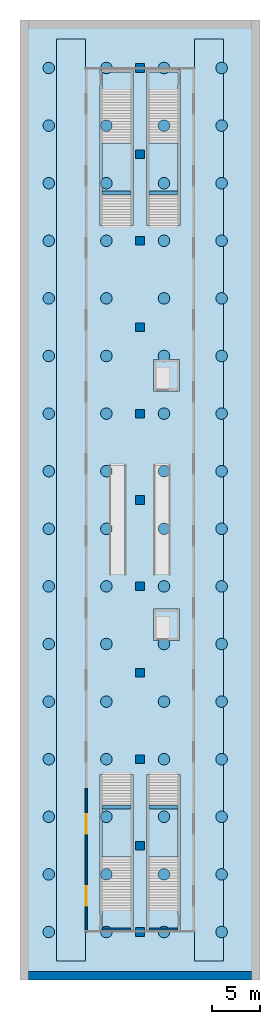
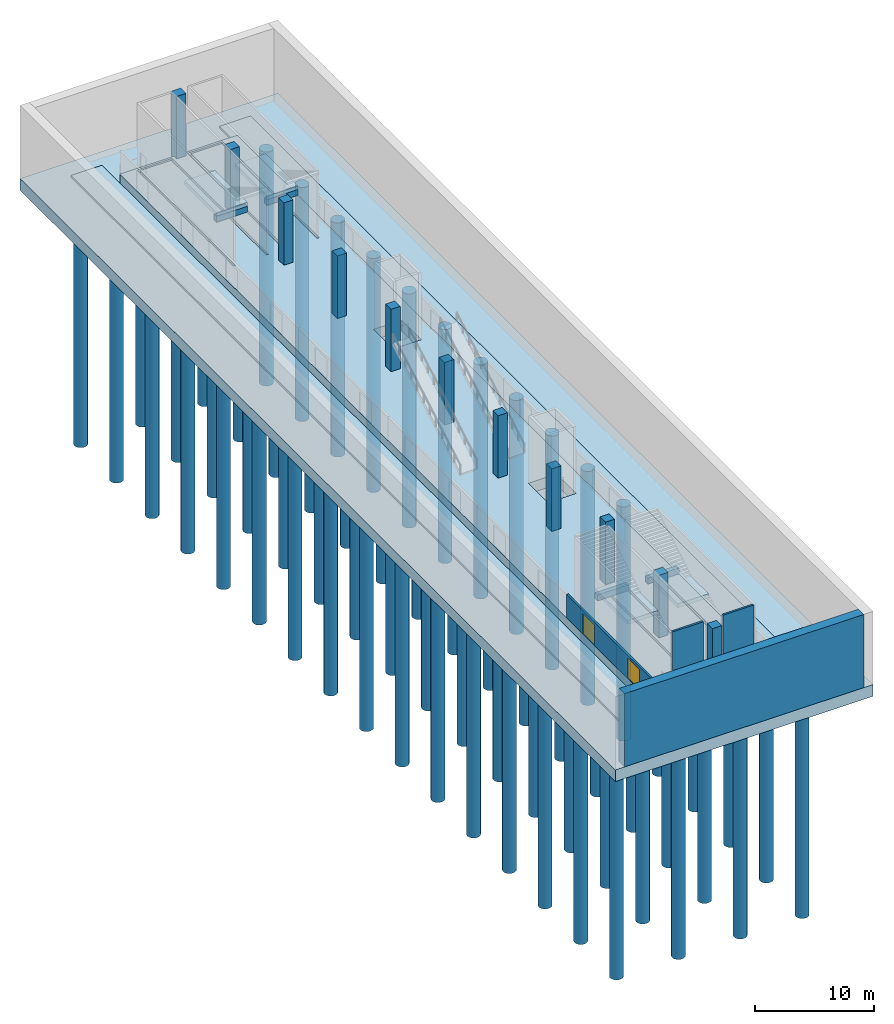
# One storey, part 1 of 16: 64 piles, 11 columns, 8 slabs, 4 beams, 4 walls, 2 windows, 2 openings, 4 elements without a shape of their own.
"""IFC4 building model written with IfcOpenShell, lengths in metres."""

from ifc_helpers import new_model, si_unit, direction, frame, frame_2d, origin, origin_2d, place, context, subcontext, project, spatial, polyline, rectangle, circle, outline, extrude, material, layer, layer_set, material_profile, profile_set, type_object, element, fill, aggregate, save


model = new_model("IFC4")

# Units and contexts
model_context = context("Model", 3, precision=1e-05, world=origin(), true_north=direction((0.0, 1.0)))
body_context = subcontext(model_context, "Body", "Model", "MODEL_VIEW")
ifc_project = project(units=[si_unit("LENGTHUNIT", "METRE"), si_unit("AREAUNIT", "SQUARE_METRE"), si_unit("VOLUMEUNIT", "CUBIC_METRE"), si_unit("PLANEANGLEUNIT", "RADIAN"), si_unit("MASSUNIT", "GRAM", prefix="KILO")], contexts=[model_context])

# Site, building, storey
site_placement = place(None, origin())
site = spatial("IfcSite", under=ifc_project, at=site_placement, CompositionType="ELEMENT")
building_placement = place(site_placement, origin())
building = spatial("IfcBuilding", under=site, at=building_placement, Name="Ogive Plaza Stadium", CompositionType="ELEMENT")
storey_placement = place(building_placement, frame((0.0, 0.0, -11.39990234375)))
storey = spatial("IfcBuildingStorey", under=building, at=storey_placement, Name="B2", CompositionType="ELEMENT", Elevation=-11.39990234375)

# Piles
ifc_material_1 = material(Name="Concrete C35/45", Category="concrete")
ifc_material_profile_1 = material_profile(ifc_material_1, circle(Radius=0.60009765625, at=origin_2d()), Name="Tie-down shaft D1200")
ifc_profile_set_1 = profile_set([ifc_material_profile_1], Name="Concrete C35/45")
pile_type = type_object("IfcPileType", Name="Tie-down shaft D1200", PredefinedType="BORED", material=ifc_profile_set_1)
for number, where, z_axis, x_axis, name in (
    (1, (98.0, -45.0, -2.300048828125), (0.0, 0.0, -1.0), (1.0, 0.0, 0.0), "Tie-down shaft 1"),
    (2, (98.0, -39.0, -2.300048828125), (0.0, 0.0, -1.0), (1.0, 0.0, 0.0), "Tie-down shaft 2"),
    (3, (98.0, -33.0, -2.300048828125), (0.0, 0.0, -1.0), (1.0, 0.0, 0.0), "Tie-down shaft 3"),
    (4, (98.0, -27.0, -2.300048828125), (0.0, 0.0, -1.0), (1.0, 0.0, 0.0), "Tie-down shaft 4"),
    (5, (98.0, -21.0, -2.300048828125), (0.0, 0.0, -1.0), (1.0, 0.0, 0.0), "Tie-down shaft 5"),
    (6, (98.0, -15.0, -2.300048828125), (0.0, 0.0, -1.0), (1.0, 0.0, 0.0), "Tie-down shaft 6"),
    (7, (98.0, -9.0, -2.300048828125), (0.0, 0.0, -1.0), (1.0, 0.0, 0.0), "Tie-down shaft 7"),
    (8, (98.0, -3.0, -2.300048828125), (0.0, 0.0, -1.0), (1.0, 0.0, 0.0), "Tie-down shaft 8"),
    (9, (98.0, 3.0, -2.300048828125), (0.0, 0.0, -1.0), (1.0, 0.0, 0.0), "Tie-down shaft 9"),
    (10, (98.0, 9.0, -2.300048828125), (0.0, 0.0, -1.0), (1.0, 0.0, 0.0), "Tie-down shaft 10"),
    (11, (98.0, 15.0, -2.300048828125), (0.0, 0.0, -1.0), (1.0, 0.0, 0.0), "Tie-down shaft 11"),
    (12, (98.0, 21.0, -2.300048828125), (0.0, 0.0, -1.0), (1.0, 0.0, 0.0), "Tie-down shaft 12"),
    (13, (98.0, 27.0, -2.300048828125), (0.0, 0.0, -1.0), (1.0, 0.0, 0.0), "Tie-down shaft 13"),
    (14, (98.0, 33.0, -2.300048828125), (0.0, 0.0, -1.0), (1.0, 0.0, 0.0), "Tie-down shaft 14"),
    (15, (98.0, 39.0, -2.300048828125), (0.0, 0.0, -1.0), (1.0, 0.0, 0.0), "Tie-down shaft 15"),
    (16, (98.0, 45.0, -2.300048828125), (0.0, 0.0, -1.0), (1.0, 0.0, 0.0), "Tie-down shaft 16"),
    (17, (104.0, -45.0, -2.300048828125), (0.0, 0.0, -1.0), (1.0, 0.0, 0.0), "Tie-down shaft 17"),
    (18, (104.0, -39.0, -2.300048828125), (0.0, 0.0, -1.0), (1.0, 0.0, 0.0), "Tie-down shaft 18"),
    (19, (104.0, -33.0, -2.300048828125), (0.0, 0.0, -1.0), (1.0, 0.0, 0.0), "Tie-down shaft 19"),
    (20, (104.0, -27.0, -2.300048828125), (0.0, 0.0, -1.0), (1.0, 0.0, 0.0), "Tie-down shaft 20"),
    (21, (104.0, -21.0, -2.300048828125), (0.0, 0.0, -1.0), (1.0, 0.0, 0.0), "Tie-down shaft 21"),
    (22, (104.0, -15.0, -2.300048828125), (0.0, 0.0, -1.0), (1.0, 0.0, 0.0), "Tie-down shaft 22"),
    (23, (104.0, -9.0, -2.300048828125), (0.0, 0.0, -1.0), (1.0, 0.0, 0.0), "Tie-down shaft 23"),
    (24, (104.0, -3.0, -2.300048828125), (0.0, 0.0, -1.0), (1.0, 0.0, 0.0), "Tie-down shaft 24"),
    (25, (104.0, 3.0, -2.300048828125), (0.0, 0.0, -1.0), (1.0, 0.0, 0.0), "Tie-down shaft 25"),
    (26, (104.0, 9.0, -2.300048828125), (0.0, 0.0, -1.0), (1.0, 0.0, 0.0), "Tie-down shaft 26"),
    (27, (104.0, 15.0, -2.300048828125), (0.0, 0.0, -1.0), (1.0, 0.0, 0.0), "Tie-down shaft 27"),
    (28, (104.0, 21.0, -2.300048828125), (0.0, 0.0, -1.0), (1.0, 0.0, 0.0), "Tie-down shaft 28"),
    (29, (104.0, 27.0, -2.300048828125), (0.0, 0.0, -1.0), (1.0, 0.0, 0.0), "Tie-down shaft 29"),
    (30, (104.0, 33.0, -2.300048828125), (0.0, 0.0, -1.0), (1.0, 0.0, 0.0), "Tie-down shaft 30"),
    (31, (104.0, 39.0, -2.300048828125), (0.0, 0.0, -1.0), (1.0, 0.0, 0.0), "Tie-down shaft 31"),
    (32, (104.0, 45.0, -2.300048828125), (0.0, 0.0, -1.0), (1.0, 0.0, 0.0), "Tie-down shaft 32"),
    (33, (110.0, -45.0, -2.300048828125), (0.0, 0.0, -1.0), (1.0, 0.0, 0.0), "Tie-down shaft 33"),
    (34, (110.0, -39.0, -2.300048828125), (0.0, 0.0, -1.0), (1.0, 0.0, 0.0), "Tie-down shaft 34"),
    (35, (110.0, -33.0, -2.300048828125), (0.0, 0.0, -1.0), (1.0, 0.0, 0.0), "Tie-down shaft 35"),
    (36, (110.0, -27.0, -2.300048828125), (0.0, 0.0, -1.0), (1.0, 0.0, 0.0), "Tie-down shaft 36"),
    (37, (110.0, -21.0, -2.300048828125), (0.0, 0.0, -1.0), (1.0, 0.0, 0.0), "Tie-down shaft 37"),
    (38, (110.0, -15.0, -2.300048828125), (0.0, 0.0, -1.0), (1.0, 0.0, 0.0), "Tie-down shaft 38"),
    (39, (110.0, -9.0, -2.300048828125), (0.0, 0.0, -1.0), (1.0, 0.0, 0.0), "Tie-down shaft 39"),
    (40, (110.0, -3.0, -2.300048828125), (0.0, 0.0, -1.0), (1.0, 0.0, 0.0), "Tie-down shaft 40"),
    (41, (110.0, 3.0, -2.300048828125), (0.0, 0.0, -1.0), (1.0, 0.0, 0.0), "Tie-down shaft 41"),
    (42, (110.0, 9.0, -2.300048828125), (0.0, 0.0, -1.0), (1.0, 0.0, 0.0), "Tie-down shaft 42"),
    (43, (110.0, 15.0, -2.300048828125), (0.0, 0.0, -1.0), (1.0, 0.0, 0.0), "Tie-down shaft 43"),
    (44, (110.0, 21.0, -2.300048828125), (0.0, 0.0, -1.0), (1.0, 0.0, 0.0), "Tie-down shaft 44"),
    (45, (110.0, 27.0, -2.300048828125), (0.0, 0.0, -1.0), (1.0, 0.0, 0.0), "Tie-down shaft 45"),
    (46, (110.0, 33.0, -2.300048828125), (0.0, 0.0, -1.0), (1.0, 0.0, 0.0), "Tie-down shaft 46"),
    (47, (110.0, 39.0, -2.300048828125), (0.0, 0.0, -1.0), (1.0, 0.0, 0.0), "Tie-down shaft 47"),
    (48, (110.0, 45.0, -2.300048828125), (0.0, 0.0, -1.0), (1.0, 0.0, 0.0), "Tie-down shaft 48"),
    (49, (116.0, -45.0, -2.300048828125), (0.0, 0.0, -1.0), (1.0, 0.0, 0.0), "Tie-down shaft 49"),
    (50, (116.0, -39.0, -2.300048828125), (0.0, 0.0, -1.0), (1.0, 0.0, 0.0), "Tie-down shaft 50"),
    (51, (116.0, -33.0, -2.300048828125), (0.0, 0.0, -1.0), (1.0, 0.0, 0.0), "Tie-down shaft 51"),
    (52, (116.0, -27.0, -2.300048828125), (0.0, 0.0, -1.0), (1.0, 0.0, 0.0), "Tie-down shaft 52"),
    (53, (116.0, -21.0, -2.300048828125), (0.0, 0.0, -1.0), (1.0, 0.0, 0.0), "Tie-down shaft 53"),
    (54, (116.0, -15.0, -2.300048828125), (0.0, 0.0, -1.0), (1.0, 0.0, 0.0), "Tie-down shaft 54"),
    (55, (116.0, -9.0, -2.300048828125), (0.0, 0.0, -1.0), (1.0, 0.0, 0.0), "Tie-down shaft 55"),
    (56, (116.0, -3.0, -2.300048828125), (0.0, 0.0, -1.0), (1.0, 0.0, 0.0), "Tie-down shaft 56"),
    (57, (116.0, 3.0, -2.300048828125), (0.0, 0.0, -1.0), (1.0, 0.0, 0.0), "Tie-down shaft 57"),
    (58, (116.0, 9.0, -2.300048828125), (0.0, 0.0, -1.0), (1.0, 0.0, 0.0), "Tie-down shaft 58"),
    (59, (116.0, 15.0, -2.300048828125), (0.0, 0.0, -1.0), (1.0, 0.0, 0.0), "Tie-down shaft 59"),
    (60, (116.0, 21.0, -2.300048828125), (0.0, 0.0, -1.0), (1.0, 0.0, 0.0), "Tie-down shaft 60"),
    (61, (116.0, 27.0, -2.300048828125), (0.0, 0.0, -1.0), (1.0, 0.0, 0.0), "Tie-down shaft 61"),
    (62, (116.0, 33.0, -2.300048828125), (0.0, 0.0, -1.0), (1.0, 0.0, 0.0), "Tie-down shaft 62"),
    (63, (116.0, 39.0, -2.300048828125), (0.0, 0.0, -1.0), (1.0, 0.0, 0.0), "Tie-down shaft 63"),
    (64, (116.0, 45.0, -2.300048828125), (0.0, 0.0, -1.0), (1.0, 0.0, 0.0), "Tie-down shaft 64"),
):
    element("IfcPile", number, at=place(storey_placement, frame(where, z_axis=z_axis, x_axis=x_axis)), inside=storey, type_object=pile_type, Name=name, PredefinedType="BORED", context=body_context, shape_type="SweptSolid", body=[
        extrude(circle(Radius=0.60009765625, at=origin_2d()), origin(), (0.0, 0.0, 1.0), 24.0),
    ])

# Columns
ifc_material_2 = material(Name="Concrete C40/50", Category="concrete")
ifc_material_profile_2 = material_profile(ifc_material_2, rectangle(XDim=0.89990234375, YDim=0.89990234375, at=origin_2d()), Name="Station column RC 900")
ifc_profile_set_2 = profile_set([ifc_material_profile_2], Name="Concrete C40/50")
column_type = type_object("IfcColumnType", Name="Station column RC 900", PredefinedType="COLUMN", material=ifc_profile_set_2)
for number, where, z_axis, x_axis, name in (
    (65, (107.5, -45.0, -1.10009765625), (0.0, 0.0, 1.0), (1.0, 0.0, 0.0), "Station column 1 B2"),
    (66, (107.5, -36.0, -1.10009765625), (0.0, 0.0, 1.0), (1.0, 0.0, 0.0), "Station column 2 B2"),
    (67, (107.5, -27.0, -1.10009765625), (0.0, 0.0, 1.0), (1.0, 0.0, 0.0), "Station column 3 B2"),
    (68, (107.5, -18.0, -1.10009765625), (0.0, 0.0, 1.0), (1.0, 0.0, 0.0), "Station column 4 B2"),
    (69, (107.5, -9.0, -1.10009765625), (0.0, 0.0, 1.0), (1.0, 0.0, 0.0), "Station column 5 B2"),
    (70, (107.5, 0.0, -1.10009765625), (0.0, 0.0, 1.0), (1.0, 0.0, 0.0), "Station column 6 B2"),
    (71, (107.5, 9.0, -1.10009765625), (0.0, 0.0, 1.0), (1.0, 0.0, 0.0), "Station column 7 B2"),
    (72, (107.5, 18.0, -1.10009765625), (0.0, 0.0, 1.0), (1.0, 0.0, 0.0), "Station column 8 B2"),
    (73, (107.5, 27.0, -1.10009765625), (0.0, 0.0, 1.0), (1.0, 0.0, 0.0), "Station column 9 B2"),
    (74, (107.5, 36.0, -1.10009765625), (0.0, 0.0, 1.0), (1.0, 0.0, 0.0), "Station column 10 B2"),
    (75, (107.5, 45.0, -1.10009765625), (0.0, 0.0, 1.0), (1.0, 0.0, 0.0), "Station column 11 B2"),
):
    element("IfcColumn", number, at=place(storey_placement, frame(where, z_axis=z_axis, x_axis=x_axis)), inside=storey, type_object=column_type, Name=name, PredefinedType="COLUMN", context=body_context, shape_type="SweptSolid", body=[
        extrude(rectangle(XDim=0.89990234375, YDim=0.89990234375, at=origin_2d()), origin(), (0.0, 0.0, 1.0), 7.5),
    ])

# Beams
ifc_material_3 = material(Name="Concrete C40/50", Category="concrete")
ifc_material_profile_3 = material_profile(ifc_material_3, rectangle(XDim=0.39990234375, YDim=0.60009765625, at=origin_2d()), Name="Stair landing beam RC 400x600")
ifc_profile_set_3 = profile_set([ifc_material_profile_3], Name="Concrete C40/50")
beam_type = type_object("IfcBeamType", Name="Stair landing beam RC 400x600", PredefinedType="BEAM", material=ifc_profile_set_3)
for number, where, z_axis, x_axis, name in (
    (76, (103.550048828125, -32.0, 2.75), (1.0, 0.0, 0.0), (0.0, 1.0, 0.0), "Landing beam LB-PS1"),
    (77, (108.449951171875, -32.0, 2.75), (1.0, 0.0, 0.0), (0.0, 1.0, 0.0), "Landing beam LB-PS2"),
    (78, (103.550048828125, 32.0, 2.75), (1.0, 0.0, 0.0), (0.0, 1.0, 0.0), "Landing beam LB-PS3"),
    (79, (108.449951171875, 32.0, 2.75), (1.0, 0.0, 0.0), (0.0, 1.0, 0.0), "Landing beam LB-PS4"),
):
    element("IfcBeam", number, at=place(storey_placement, frame(where, z_axis=z_axis, x_axis=x_axis)), inside=storey, type_object=beam_type, Name=name, PredefinedType="BEAM", context=body_context, shape_type="SweptSolid", body=[
        extrude(rectangle(XDim=0.39990234375, YDim=0.60009765625, at=origin_2d()), origin(), (0.0, 0.0, 1.0), 3.0),
    ])

# Slab
ifc_material_4 = material(Name="Concrete C35/45", Category="concrete")
ifc_layer_1 = layer(ifc_material_4, 1.10009765625)
ifc_layer_set_1 = layer_set([ifc_layer_1], Name="Concrete C35/45")
slab_type_1 = type_object("IfcSlabType", Name="Platform slab 1100", PredefinedType="FLOOR", material=ifc_layer_set_1)
slab_1_placement = place(storey_placement, frame((0.0, 0.0, -1.10009765625)))
element("IfcSlab", 80, at=slab_1_placement, inside=storey, type_object=slab_type_1, Name="Island platform slab", PredefinedType="FLOOR", context=body_context, shape_type="SweptSolid", body=[
    extrude(outline(polyline([(107.949951171875, -44.550048828125), (107.050048828125, -44.550048828125), (107.050048828125, -45.0), (101.800048828125, -45.0), (101.800048828125, 45.0), (107.050048828125, 45.0), (107.050048828125, 44.550048828125), (107.949951171875, 44.550048828125), (107.949951171875, 45.0), (113.199951171875, 45.0), (113.199951171875, -45.0), (107.949951171875, -45.0), (107.949951171875, -44.550048828125)]), holes=[polyline([(106.550048828125, -44.800048828125), (106.75, -44.800048828125), (106.75, -28.60009765625), (106.550048828125, -28.60009765625), (106.550048828125, -44.60009765625), (103.550048828125, -44.60009765625), (103.550048828125, -28.60009765625), (103.35009765625, -28.60009765625), (103.35009765625, -44.800048828125), (103.550048828125, -44.800048828125), (106.550048828125, -44.800048828125)]), polyline([(108.25, -28.60009765625), (108.25, -44.800048828125), (108.449951171875, -44.800048828125), (111.449951171875, -44.800048828125), (111.64990234375, -44.800048828125), (111.64990234375, -28.60009765625), (111.449951171875, -28.60009765625), (111.449951171875, -44.60009765625), (108.449951171875, -44.60009765625), (108.449951171875, -28.60009765625), (108.25, -28.60009765625)]), polyline([(106.75, 44.800048828125), (106.550048828125, 44.800048828125), (103.550048828125, 44.800048828125), (103.35009765625, 44.800048828125), (103.35009765625, 28.60009765625), (103.550048828125, 28.60009765625), (103.550048828125, 44.60009765625), (106.550048828125, 44.60009765625), (106.550048828125, 28.60009765625), (106.75, 28.60009765625), (106.75, 44.800048828125)]), polyline([(111.449951171875, 44.60009765625), (111.449951171875, 28.60009765625), (111.64990234375, 28.60009765625), (111.64990234375, 44.800048828125), (111.449951171875, 44.800048828125), (108.449951171875, 44.800048828125), (108.25, 44.800048828125), (108.25, 28.60009765625), (108.449951171875, 28.60009765625), (108.449951171875, 44.60009765625), (111.449951171875, 44.60009765625)]), polyline([(111.60009765625, -11.35009765625), (108.89990234375, -11.35009765625), (108.89990234375, -14.64990234375), (111.60009765625, -14.64990234375), (111.60009765625, -11.35009765625)]), polyline([(111.60009765625, 11.35009765625), (111.60009765625, 14.64990234375), (108.89990234375, 14.64990234375), (108.89990234375, 11.35009765625), (111.60009765625, 11.35009765625)]), polyline([(107.050048828125, -35.550048828125), (107.050048828125, -36.449951171875), (107.949951171875, -36.449951171875), (107.949951171875, -35.550048828125), (107.050048828125, -35.550048828125)]), polyline([(107.949951171875, -26.550048828125), (107.050048828125, -26.550048828125), (107.050048828125, -27.449951171875), (107.949951171875, -27.449951171875), (107.949951171875, -26.550048828125)]), polyline([(107.949951171875, -18.449951171875), (107.949951171875, -17.550048828125), (107.050048828125, -17.550048828125), (107.050048828125, -18.449951171875), (107.949951171875, -18.449951171875)]), polyline([(107.050048828125, -9.449951171875), (107.949951171875, -9.449951171875), (107.949951171875, -8.550048828125), (107.050048828125, -8.550048828125), (107.050048828125, -9.449951171875)]), polyline([(107.050048828125, 0.449951171875), (107.050048828125, -0.449951171875), (107.949951171875, -0.449951171875), (107.949951171875, 0.449951171875), (107.050048828125, 0.449951171875)]), polyline([(107.949951171875, 9.449951171875), (107.050048828125, 9.449951171875), (107.050048828125, 8.550048828125), (107.949951171875, 8.550048828125), (107.949951171875, 9.449951171875)]), polyline([(107.949951171875, 17.550048828125), (107.949951171875, 18.449951171875), (107.050048828125, 18.449951171875), (107.050048828125, 17.550048828125), (107.949951171875, 17.550048828125)]), polyline([(107.050048828125, 26.550048828125), (107.949951171875, 26.550048828125), (107.949951171875, 27.449951171875), (107.050048828125, 27.449951171875), (107.050048828125, 26.550048828125)]), polyline([(107.050048828125, 36.449951171875), (107.050048828125, 35.550048828125), (107.949951171875, 35.550048828125), (107.949951171875, 36.449951171875), (107.050048828125, 36.449951171875)])]), origin(), (0.0, 0.0, 1.0), 1.10009765625),
])

# Stair, slab
ifc_material_5 = material(Name="Concrete C40/50", Category="concrete")
stair_type = type_object("IfcStairType", Name="Station stair 3000", PredefinedType="TWO_STRAIGHT_RUN_STAIR", material=ifc_material_5)
stair_1_placement = place(storey_placement, origin())
stair_1 = element("IfcStair", 81, at=stair_1_placement, inside=storey, type_object=stair_type, Name="Stair PS1", PredefinedType="TWO_STRAIGHT_RUN_STAIR")
ifc_material_6 = material(Name="Concrete C40/50", Category="concrete")
ifc_layer_2 = layer(ifc_material_6, 0.39990234375)
ifc_layer_set_2 = layer_set([ifc_layer_2], Name="Concrete C40/50")
slab_type_2 = type_object("IfcSlabType", Name="Stair landing 400", PredefinedType="LANDING", material=ifc_layer_set_2)
slab_2_placement = place(storey_placement, frame((0.0, 0.0, 3.0498046875)))
slab_2 = element("IfcSlab", 82, at=slab_2_placement, type_object=slab_type_2, Name="PS1 landing 1", PredefinedType="LANDING", context=body_context, shape_type="SweptSolid", body=[
    extrude(outline(polyline([(103.550048828125, -37.199951171875), (106.550048828125, -37.199951171875), (106.550048828125, -31.800048828125), (103.550048828125, -31.800048828125), (103.550048828125, -37.199951171875)])), origin(), (0.0, 0.0, 1.0), 0.400146484375),
])
aggregate(stair_1, [slab_2])

stair_2_placement = place(storey_placement, origin())
stair_2 = element("IfcStair", 83, at=stair_2_placement, inside=storey, type_object=stair_type, Name="Stair PS2", PredefinedType="TWO_STRAIGHT_RUN_STAIR")
slab_3_placement = place(storey_placement, frame((0.0, 0.0, 3.0498046875)))
slab_3 = element("IfcSlab", 84, at=slab_3_placement, type_object=slab_type_2, Name="PS2 landing 1", PredefinedType="LANDING", context=body_context, shape_type="SweptSolid", body=[
    extrude(outline(polyline([(108.449951171875, -37.199951171875), (111.449951171875, -37.199951171875), (111.449951171875, -31.800048828125), (108.449951171875, -31.800048828125), (108.449951171875, -37.199951171875)])), origin(), (0.0, 0.0, 1.0), 0.400146484375),
])
aggregate(stair_2, [slab_3])

stair_3_placement = place(storey_placement, origin())
stair_3 = element("IfcStair", 85, at=stair_3_placement, inside=storey, type_object=stair_type, Name="Stair PS3", PredefinedType="TWO_STRAIGHT_RUN_STAIR")
slab_4_placement = place(storey_placement, frame((0.0, 0.0, 3.0498046875)))
slab_4 = element("IfcSlab", 86, at=slab_4_placement, type_object=slab_type_2, Name="PS3 landing 1", PredefinedType="LANDING", context=body_context, shape_type="SweptSolid", body=[
    extrude(outline(polyline([(103.550048828125, 31.800048828125), (106.550048828125, 31.800048828125), (106.550048828125, 37.199951171875), (103.550048828125, 37.199951171875), (103.550048828125, 31.800048828125)])), origin(), (0.0, 0.0, 1.0), 0.400146484375),
])
aggregate(stair_3, [slab_4])

stair_4_placement = place(storey_placement, origin())
stair_4 = element("IfcStair", 87, at=stair_4_placement, inside=storey, type_object=stair_type, Name="Stair PS4", PredefinedType="TWO_STRAIGHT_RUN_STAIR")
slab_5_placement = place(storey_placement, frame((0.0, 0.0, 3.0498046875)))
slab_5 = element("IfcSlab", 88, at=slab_5_placement, type_object=slab_type_2, Name="PS4 landing 1", PredefinedType="LANDING", context=body_context, shape_type="SweptSolid", body=[
    extrude(outline(polyline([(108.449951171875, 31.800048828125), (111.449951171875, 31.800048828125), (111.449951171875, 37.199951171875), (108.449951171875, 37.199951171875), (108.449951171875, 31.800048828125)])), origin(), (0.0, 0.0, 1.0), 0.400146484375),
])
aggregate(stair_4, [slab_5])

# Slabs
ifc_material_7 = material(Name="Concrete C35/45", Category="concrete")
ifc_layer_3 = layer(ifc_material_7, 1.199951171875)
ifc_layer_set_3 = layer_set([ifc_layer_3], Name="Concrete C35/45")
slab_type_3 = type_object("IfcSlabType", Name="Station base slab 1200", PredefinedType="BASESLAB", material=ifc_layer_set_3)
slab_6_placement = place(storey_placement, frame((0.0, 0.0, -2.300048828125)))
element("IfcSlab", 89, at=slab_6_placement, inside=storey, type_object=slab_type_3, Name="Station base slab", PredefinedType="BASESLAB", context=body_context, shape_type="SweptSolid", body=[
    extrude(outline(polyline([(95.0, -50.0), (120.0, -50.0), (120.0, 50.0), (95.0, 50.0), (95.0, -50.0)])), origin(), (0.0, 0.0, 1.0), 1.199951171875),
])
ifc_material_8 = material(Name="Concrete C35/45", Category="concrete")
ifc_layer_4 = layer(ifc_material_8, 0.199951171875)
ifc_layer_set_4 = layer_set([ifc_layer_4], Name="Concrete C35/45")
slab_type_4 = type_object("IfcSlabType", Name="Track slab 200", PredefinedType="FLOOR", material=ifc_layer_set_4)
slab_7_placement = place(storey_placement, frame((0.0, 0.0, -1.10009765625)))
element("IfcSlab", 90, at=slab_7_placement, inside=storey, type_object=slab_type_4, Name="Track slab 1", PredefinedType="FLOOR", context=body_context, shape_type="SweptSolid", body=[
    extrude(outline(polyline([(98.800048828125, -48.0), (101.800048828125, -48.0), (101.800048828125, 48.0), (98.800048828125, 48.0), (98.800048828125, -48.0)])), origin(), (0.0, 0.0, 1.0), 0.199951171875),
])
slab_8_placement = place(storey_placement, frame((0.0, 0.0, -1.10009765625)))
element("IfcSlab", 91, at=slab_8_placement, inside=storey, type_object=slab_type_4, Name="Track slab 2", PredefinedType="FLOOR", context=body_context, shape_type="SweptSolid", body=[
    extrude(outline(polyline([(113.199951171875, -48.0), (116.199951171875, -48.0), (116.199951171875, 48.0), (113.199951171875, 48.0), (113.199951171875, -48.0)])), origin(), (0.0, 0.0, 1.0), 0.199951171875),
])

# Wall
ifc_material_9 = material(Name="Concrete C35/45", Category="concrete")
ifc_layer_5 = layer(ifc_material_9, 0.89990234375)
ifc_layer_set_5 = layer_set([ifc_layer_5], Name="Concrete C35/45")
wall_type_1 = type_object("IfcWallType", Name="Diaphragm wall 900", PredefinedType="STANDARD", material=ifc_layer_set_5)
wall_1_placement = place(storey_placement, frame((95.89990234375, -49.550048828125, -1.10009765625), z_axis=(0.0, 0.0, 1.0), x_axis=(1.0, 0.0, 0.0)))
element("IfcWall", 92, at=wall_1_placement, inside=storey, type_object=wall_type_1, Name="Diaphragm wall 900 B2 south", PredefinedType="STANDARD", context=body_context, shape_type="SweptSolid", body=[
    extrude(rectangle(XDim=23.2001953125, YDim=0.89990234375, at=frame_2d((11.60009765625, 0.0))), origin(), (0.0, 0.0, 1.0), 7.5),
])

# Wall, openings, windows
ifc_material_10 = material(Name="Laminated glass screen", Category="glass")
ifc_layer_6 = layer(ifc_material_10, 0.199951171875)
ifc_layer_set_6 = layer_set([ifc_layer_6], Name="Platform screen wall 200")
wall_type_2 = type_object("IfcWallType", Name="Platform screen wall 200", PredefinedType="PARTITIONING", material=ifc_layer_set_6)
wall_2_placement = place(storey_placement, frame((101.89990234375, -45.0, 0.0), z_axis=(0.0, 0.0, 1.0), x_axis=(0.0, 1.0, 0.0)))
wall_2 = element("IfcWall", 93, at=wall_2_placement, inside=storey, type_object=wall_type_2, Name="Platform screen wall 1", PredefinedType="PARTITIONING", context=body_context, shape_type="SweptSolid", body=[
    extrude(rectangle(XDim=15.0, YDim=0.199951171875, at=frame_2d((7.5, 0.0))), origin(), (0.0, 0.0, 1.0), 2.39990234375),
])
opening_1_placement = place(wall_2_placement, frame((2.75, 0.0, 0.0)))
opening_1 = element("IfcOpeningElement", 94, at=opening_1_placement, cuts=wall_2, Name="Opening PSG01", PredefinedType="OPENING", context=body_context, shape_type="SweptSolid", body=[
    extrude(rectangle(XDim=2.0, YDim=2.10009765625, at=frame_2d((1.0, 1.050048828125))), frame((0.0, 0.10009765625, 0.0), z_axis=(0.0, -1.0, 0.0), x_axis=(1.0, 0.0, 0.0)), (0.0, 0.0, 1.0), 0.199951171875),
])
opening_2_placement = place(wall_2_placement, frame((10.25, 0.0, 0.0)))
opening_2 = element("IfcOpeningElement", 95, at=opening_2_placement, cuts=wall_2, Name="Opening PSG02", PredefinedType="OPENING", context=body_context, shape_type="SweptSolid", body=[
    extrude(rectangle(XDim=2.0, YDim=2.10009765625, at=frame_2d((1.0, 1.050048828125))), frame((0.0, 0.10009765625, 0.0), z_axis=(0.0, -1.0, 0.0), x_axis=(1.0, 0.0, 0.0)), (0.0, 0.0, 1.0), 0.199951171875),
])
ifc_material_11 = material(Name="Laminated glass and steel frame", Category="steel")
window_type = type_object("IfcWindowType", Name="Platform screen glazing 2000x2100", PartitioningType="DOUBLE_PANEL_HORIZONTAL", PredefinedType="WINDOW", material=ifc_material_11)
window_1_placement = place(opening_1_placement, origin())
window_1 = element("IfcWindow", 96, at=window_1_placement, inside=storey, type_object=window_type, Name="Platform screen glazing PSG01", OverallHeight=2.10009765625, OverallWidth=2.0, PartitioningType="DOUBLE_PANEL_HORIZONTAL", PredefinedType="WINDOW", context=body_context, shape_type="SweptSolid", body=[
    extrude(rectangle(XDim=2.0, YDim=2.10009765625, at=frame_2d((1.0, 1.050048828125))), frame((0.0, 0.030029296875, 0.0), z_axis=(0.0, -1.0, 0.0), x_axis=(1.0, 0.0, 0.0)), (0.0, 0.0, 1.0), 0.06005859375),
])
fill(opening_1, window_1)
window_2_placement = place(opening_2_placement, origin())
window_2 = element("IfcWindow", 97, at=window_2_placement, inside=storey, type_object=window_type, Name="Platform screen glazing PSG02", OverallHeight=2.10009765625, OverallWidth=2.0, PartitioningType="DOUBLE_PANEL_HORIZONTAL", PredefinedType="WINDOW", context=body_context, shape_type="SweptSolid", body=[
    extrude(rectangle(XDim=2.0, YDim=2.10009765625, at=frame_2d((1.0, 1.050048828125))), frame((0.0, 0.030029296875, 0.0), z_axis=(0.0, -1.0, 0.0), x_axis=(1.0, 0.0, 0.0)), (0.0, 0.0, 1.0), 0.06005859375),
])
fill(opening_2, window_2)

# Walls
ifc_material_12 = material(Name="Concrete C40/50", Category="concrete")
ifc_layer_7 = layer(ifc_material_12, 0.199951171875)
ifc_layer_set_7 = layer_set([ifc_layer_7], Name="Concrete C40/50")
wall_type_3 = type_object("IfcWallType", Name="Stair enclosure wall 200", PredefinedType="SHEAR", material=ifc_layer_set_7)
for number, where, z_axis, x_axis, name in (
    (98, (103.550048828125, -44.699951171875, -1.10009765625), (0.0, 0.0, 1.0), (1.0, 0.0, 0.0), "Stair enclosure wall 200 B2 south"),
    (99, (108.449951171875, -44.699951171875, -1.10009765625), (0.0, 0.0, 1.0), (1.0, 0.0, 0.0), "Stair enclosure wall 200 B2 south"),
):
    element("IfcWall", number, at=place(storey_placement, frame(where, z_axis=z_axis, x_axis=x_axis)), inside=storey, type_object=wall_type_3, Name=name, PredefinedType="SHEAR", context=body_context, shape_type="SweptSolid", body=[
        extrude(rectangle(XDim=3.0, YDim=0.199951171875, at=frame_2d((1.5, 0.0))), origin(), (0.0, 0.0, 1.0), 8.0),
    ])

save(model, "model.ifc")
